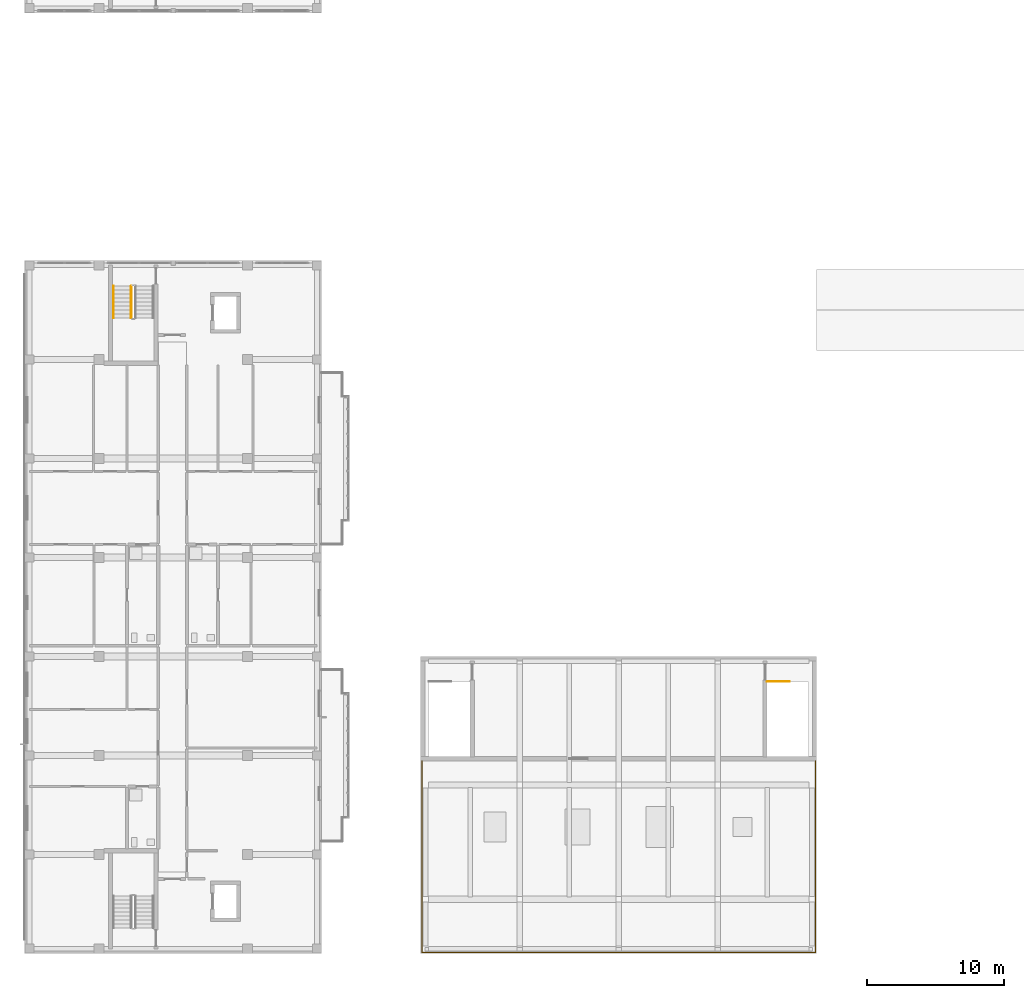
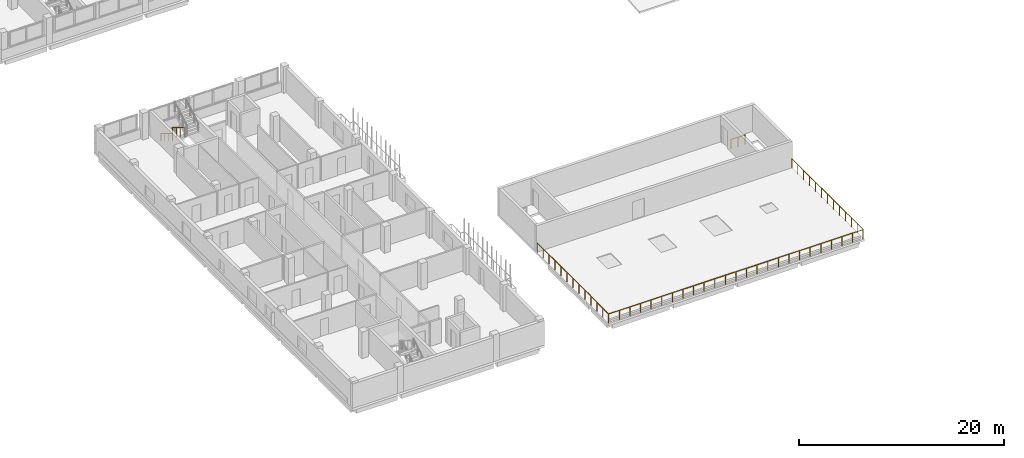
# One storey, part 44 of 56: 4 railings.
"""IFC4 building model written with IfcOpenShell, lengths in metres."""

from ifc_helpers import new_model, si_unit, derived_unit, direction, frame, origin, origin_2d, place, context, subcontext, project, spatial, circle, extrude, material, type_object, element, save


model = new_model("IFC4")

# Units and contexts
model_context = context("Model", 3, precision=1e-05, world=origin(), true_north=direction((0.0, 1.0)))
body_context = subcontext(model_context, "Body", "Model", "MODEL_VIEW")
ifc_project = project(units=[si_unit("LENGTHUNIT", "METRE"), si_unit("AREAUNIT", "SQUARE_METRE"), si_unit("VOLUMEUNIT", "CUBIC_METRE"), si_unit("PLANEANGLEUNIT", "RADIAN"), si_unit("MASSUNIT", "GRAM", prefix="KILO"), derived_unit("THERMALTRANSMITTANCEUNIT", [(si_unit("MASSUNIT", "GRAM", prefix="KILO"), 1), (si_unit("TIMEUNIT", "SECOND"), -3), (si_unit("THERMODYNAMICTEMPERATUREUNIT", "KELVIN"), -1)])], contexts=[model_context])

# Site, building, storey
site_placement = place(None, origin())
site = spatial("IfcSite", under=ifc_project, at=site_placement, CompositionType="ELEMENT")
building_placement = place(site_placement, origin())
building = spatial("IfcBuilding", under=site, at=building_placement, Name="Ochrekiln Boulevard Commons", CompositionType="ELEMENT")
storey_placement = place(building_placement, frame((0.0, 0.0, 12.074951171875)))
storey = spatial("IfcBuildingStorey", under=building, at=storey_placement, Name="L03", CompositionType="ELEMENT", Elevation=12.074951171875)

# Railings
ifc_material_1 = material(Name="Bronze-anodized extruded aluminium 6063-T6", Category="aluminium")
railing_type_1 = type_object("IfcRailingType", Name="RLG-BAL-1120", PredefinedType="BALUSTRADE", material=ifc_material_1)
railing_1_placement = place(storey_placement, frame((28.8798828125, 14.0, 0.0)))
element("IfcRailing", 1, at=railing_1_placement, inside=storey, type_object=railing_type_1, Name="West Boulevard Arcade L03 Roof Terrace Perimeter Balustrade", PredefinedType="BALUSTRADE", context=body_context, shape_type="SweptSolid", body=[
    extrude(circle(Radius=0.02392578125, at=origin_2d()), frame((0.0, 0.0, 1.09619140625), z_axis=(0.0, -1.0, 0.0), x_axis=(1.0, 0.0, 0.0)), (0.0, 0.0, 1.0), 13.919921875),
    extrude(circle(Radius=0.02392578125, at=origin_2d()), frame((0.0, -13.919921875, 1.09619140625), z_axis=(1.0, 0.0, 0.0), x_axis=(0.0, 1.0, 0.0)), (0.0, 0.0, 1.0), 28.64013671875),
    extrude(circle(Radius=0.02392578125, at=origin_2d()), frame((28.64013671875, -13.919921875, 1.09619140625), z_axis=(0.0, 1.0, 0.0), x_axis=(-1.0, 0.0, 0.0)), (0.0, 0.0, 1.0), 13.919921875),
    extrude(circle(Radius=0.02099609375, at=origin_2d()), origin(), (0.0, 0.0, 1.0), 1.072021484375),
    extrude(circle(Radius=0.02099609375, at=origin_2d()), frame((0.0, -1.159912109375, 0.0)), (0.0, 0.0, 1.0), 1.072021484375),
    extrude(circle(Radius=0.02099609375, at=origin_2d()), frame((0.0, -2.320068359375, 0.0)), (0.0, 0.0, 1.0), 1.072021484375),
    extrude(circle(Radius=0.02099609375, at=origin_2d()), frame((0.0, -3.47998046875, 0.0)), (0.0, 0.0, 1.0), 1.072021484375),
    extrude(circle(Radius=0.02099609375, at=origin_2d()), frame((0.0, -4.639892578125, 0.0)), (0.0, 0.0, 1.0), 1.072021484375),
    extrude(circle(Radius=0.02099609375, at=origin_2d()), frame((0.0, -5.800048828125, 0.0)), (0.0, 0.0, 1.0), 1.072021484375),
    extrude(circle(Radius=0.02099609375, at=origin_2d()), frame((0.0, -6.9599609375, 0.0)), (0.0, 0.0, 1.0), 1.072021484375),
    extrude(circle(Radius=0.02099609375, at=origin_2d()), frame((0.0, -8.119873046875, 0.0)), (0.0, 0.0, 1.0), 1.072021484375),
    extrude(circle(Radius=0.02099609375, at=origin_2d()), frame((0.0, -9.280029296875, 0.0)), (0.0, 0.0, 1.0), 1.072021484375),
    extrude(circle(Radius=0.02099609375, at=origin_2d()), frame((0.0, -10.43994140625, 0.0)), (0.0, 0.0, 1.0), 1.072021484375),
    extrude(circle(Radius=0.02099609375, at=origin_2d()), frame((0.0, -11.599853515625, 0.0)), (0.0, 0.0, 1.0), 1.072021484375),
    extrude(circle(Radius=0.02099609375, at=origin_2d()), frame((0.0, -12.760009765625, 0.0)), (0.0, 0.0, 1.0), 1.072021484375),
    extrude(circle(Radius=0.02099609375, at=origin_2d()), frame((0.0, -13.919921875, 0.0)), (0.0, 0.0, 1.0), 1.072021484375),
    extrude(circle(Radius=0.02099609375, at=origin_2d()), frame((1.193359375, -13.919921875, 0.0)), (0.0, 0.0, 1.0), 1.072021484375),
    extrude(circle(Radius=0.02099609375, at=origin_2d()), frame((2.38671875, -13.919921875, 0.0)), (0.0, 0.0, 1.0), 1.072021484375),
    extrude(circle(Radius=0.02099609375, at=origin_2d()), frame((3.580078125, -13.919921875, 0.0)), (0.0, 0.0, 1.0), 1.072021484375),
    extrude(circle(Radius=0.02099609375, at=origin_2d()), frame((4.7734375, -13.919921875, 0.0)), (0.0, 0.0, 1.0), 1.072021484375),
    extrude(circle(Radius=0.02099609375, at=origin_2d()), frame((5.966796875, -13.919921875, 0.0)), (0.0, 0.0, 1.0), 1.072021484375),
    extrude(circle(Radius=0.02099609375, at=origin_2d()), frame((7.16015625, -13.919921875, 0.0)), (0.0, 0.0, 1.0), 1.072021484375),
    extrude(circle(Radius=0.02099609375, at=origin_2d()), frame((8.353271484375, -13.919921875, 0.0)), (0.0, 0.0, 1.0), 1.072021484375),
    extrude(circle(Radius=0.02099609375, at=origin_2d()), frame((9.546630859375, -13.919921875, 0.0)), (0.0, 0.0, 1.0), 1.072021484375),
    extrude(circle(Radius=0.02099609375, at=origin_2d()), frame((10.739990234375, -13.919921875, 0.0)), (0.0, 0.0, 1.0), 1.072021484375),
    extrude(circle(Radius=0.02099609375, at=origin_2d()), frame((11.933349609375, -13.919921875, 0.0)), (0.0, 0.0, 1.0), 1.072021484375),
    extrude(circle(Radius=0.02099609375, at=origin_2d()), frame((13.126708984375, -13.919921875, 0.0)), (0.0, 0.0, 1.0), 1.072021484375),
    extrude(circle(Radius=0.02099609375, at=origin_2d()), frame((14.320068359375, -13.919921875, 0.0)), (0.0, 0.0, 1.0), 1.072021484375),
    extrude(circle(Radius=0.02099609375, at=origin_2d()), frame((15.513427734375, -13.919921875, 0.0)), (0.0, 0.0, 1.0), 1.072021484375),
    extrude(circle(Radius=0.02099609375, at=origin_2d()), frame((16.706787109375, -13.919921875, 0.0)), (0.0, 0.0, 1.0), 1.072021484375),
    extrude(circle(Radius=0.02099609375, at=origin_2d()), frame((17.900146484375, -13.919921875, 0.0)), (0.0, 0.0, 1.0), 1.072021484375),
    extrude(circle(Radius=0.02099609375, at=origin_2d()), frame((19.093505859375, -13.919921875, 0.0)), (0.0, 0.0, 1.0), 1.072021484375),
    extrude(circle(Radius=0.02099609375, at=origin_2d()), frame((20.286865234375, -13.919921875, 0.0)), (0.0, 0.0, 1.0), 1.072021484375),
    extrude(circle(Radius=0.02099609375, at=origin_2d()), frame((21.47998046875, -13.919921875, 0.0)), (0.0, 0.0, 1.0), 1.072021484375),
    extrude(circle(Radius=0.02099609375, at=origin_2d()), frame((22.67333984375, -13.919921875, 0.0)), (0.0, 0.0, 1.0), 1.072021484375),
    extrude(circle(Radius=0.02099609375, at=origin_2d()), frame((23.86669921875, -13.919921875, 0.0)), (0.0, 0.0, 1.0), 1.072021484375),
    extrude(circle(Radius=0.02099609375, at=origin_2d()), frame((25.06005859375, -13.919921875, 0.0)), (0.0, 0.0, 1.0), 1.072021484375),
    extrude(circle(Radius=0.02099609375, at=origin_2d()), frame((26.25341796875, -13.919921875, 0.0)), (0.0, 0.0, 1.0), 1.072021484375),
    extrude(circle(Radius=0.02099609375, at=origin_2d()), frame((27.44677734375, -13.919921875, 0.0)), (0.0, 0.0, 1.0), 1.072021484375),
    extrude(circle(Radius=0.02099609375, at=origin_2d()), frame((28.64013671875, -13.919921875, 0.0)), (0.0, 0.0, 1.0), 1.072021484375),
    extrude(circle(Radius=0.02099609375, at=origin_2d()), frame((28.64013671875, -12.760009765625, 0.0)), (0.0, 0.0, 1.0), 1.072021484375),
    extrude(circle(Radius=0.02099609375, at=origin_2d()), frame((28.64013671875, -11.599853515625, 0.0)), (0.0, 0.0, 1.0), 1.072021484375),
    extrude(circle(Radius=0.02099609375, at=origin_2d()), frame((28.64013671875, -10.43994140625, 0.0)), (0.0, 0.0, 1.0), 1.072021484375),
    extrude(circle(Radius=0.02099609375, at=origin_2d()), frame((28.64013671875, -9.280029296875, 0.0)), (0.0, 0.0, 1.0), 1.072021484375),
    extrude(circle(Radius=0.02099609375, at=origin_2d()), frame((28.64013671875, -8.119873046875, 0.0)), (0.0, 0.0, 1.0), 1.072021484375),
    extrude(circle(Radius=0.02099609375, at=origin_2d()), frame((28.64013671875, -6.9599609375, 0.0)), (0.0, 0.0, 1.0), 1.072021484375),
    extrude(circle(Radius=0.02099609375, at=origin_2d()), frame((28.64013671875, -5.800048828125, 0.0)), (0.0, 0.0, 1.0), 1.072021484375),
    extrude(circle(Radius=0.02099609375, at=origin_2d()), frame((28.64013671875, -4.639892578125, 0.0)), (0.0, 0.0, 1.0), 1.072021484375),
    extrude(circle(Radius=0.02099609375, at=origin_2d()), frame((28.64013671875, -3.47998046875, 0.0)), (0.0, 0.0, 1.0), 1.072021484375),
    extrude(circle(Radius=0.02099609375, at=origin_2d()), frame((28.64013671875, -2.320068359375, 0.0)), (0.0, 0.0, 1.0), 1.072021484375),
    extrude(circle(Radius=0.02099609375, at=origin_2d()), frame((28.64013671875, -1.159912109375, 0.0)), (0.0, 0.0, 1.0), 1.072021484375),
    extrude(circle(Radius=0.02099609375, at=origin_2d()), frame((28.64013671875, 0.0, 0.0)), (0.0, 0.0, 1.0), 1.072021484375),
])
ifc_material_2 = material(Name="Brushed stainless steel 316 tubular railing", Category="steel")
railing_type_2 = type_object("IfcRailingType", Name="RLG-HDR-900", PredefinedType="HANDRAIL", material=ifc_material_2)
railing_2_placement = place(storey_placement, frame((6.449951171875, 48.530029296875, 0.175048828125)))
element("IfcRailing", 2, at=railing_2_placement, inside=storey, type_object=railing_type_2, Name="L03 ST-D2 stair handrail 1", PredefinedType="HANDRAIL", context=body_context, shape_type="SweptSolid", body=[
    extrude(circle(Radius=0.02392578125, at=origin_2d()), frame((0.0, 0.0, 0.8759765625), z_axis=(0.0, -0.85621033714, 0.516627388526), x_axis=(1.0, 0.0, 0.0)), (0.0, 0.0, 1.0), 2.709716796875),
    extrude(circle(Radius=0.02099609375, at=origin_2d()), origin(), (0.0, 0.0, 1.0), 0.851806640625),
    extrude(circle(Radius=0.02099609375, at=origin_2d()), frame((0.0, -0.7734375, 0.466552734375)), (0.0, 0.0, 1.0), 0.851806640625),
    extrude(circle(Radius=0.02099609375, at=origin_2d()), frame((0.0, -1.546630859375, 0.933349609375)), (0.0, 0.0, 1.0), 0.851806640625),
    extrude(circle(Radius=0.02099609375, at=origin_2d()), frame((0.0, -2.320068359375, 1.39990234375)), (0.0, 0.0, 1.0), 0.851806640625),
])
railing_type_3 = type_object("IfcRailingType", Name="RLG-STR-1120", PredefinedType="BALUSTRADE", material=ifc_material_2)
railing_3_placement = place(storey_placement, frame((7.75, 48.530029296875, 0.175048828125)))
element("IfcRailing", 3, at=railing_3_placement, inside=storey, type_object=railing_type_3, Name="L03 ST-D2 stair guard 1", PredefinedType="BALUSTRADE", context=body_context, shape_type="SweptSolid", body=[
    extrude(circle(Radius=0.02392578125, at=origin_2d()), frame((0.0, 0.0, 1.09619140625), z_axis=(0.0, -0.85621033714, 0.516627388526), x_axis=(1.0, 0.0, 0.0)), (0.0, 0.0, 1.0), 2.709716796875),
    extrude(circle(Radius=0.02099609375, at=origin_2d()), origin(), (0.0, 0.0, 1.0), 1.072021484375),
    extrude(circle(Radius=0.02099609375, at=origin_2d()), frame((0.0, -0.7734375, 0.466552734375)), (0.0, 0.0, 1.0), 1.072021484375),
    extrude(circle(Radius=0.02099609375, at=origin_2d()), frame((0.0, -1.546630859375, 0.933349609375)), (0.0, 0.0, 1.0), 1.072021484375),
    extrude(circle(Radius=0.02099609375, at=origin_2d()), frame((0.0, -2.320068359375, 1.39990234375)), (0.0, 0.0, 1.0), 1.072021484375),
])
railing_4_placement = place(storey_placement, frame((54.0, 19.780029296875, 0.0)))
element("IfcRailing", 4, at=railing_4_placement, inside=storey, type_object=railing_type_3, Name="L03 ST-W2 top well guard 1", PredefinedType="BALUSTRADE", context=body_context, shape_type="SweptSolid", body=[
    extrude(circle(Radius=0.02392578125, at=origin_2d()), frame((0.0, 0.0, 1.09619140625), z_axis=(1.0, 0.0, 0.0), x_axis=(0.0, 1.0, 0.0)), (0.0, 0.0, 1.0), 1.60009765625),
    extrude(circle(Radius=0.02099609375, at=origin_2d()), origin(), (0.0, 0.0, 1.0), 1.072021484375),
    extrude(circle(Radius=0.02099609375, at=origin_2d()), frame((0.800048828125, 0.0, 0.0)), (0.0, 0.0, 1.0), 1.072021484375),
    extrude(circle(Radius=0.02099609375, at=origin_2d()), frame((1.60009765625, 0.0, 0.0)), (0.0, 0.0, 1.0), 1.072021484375),
])

save(model, "model.ifc")
